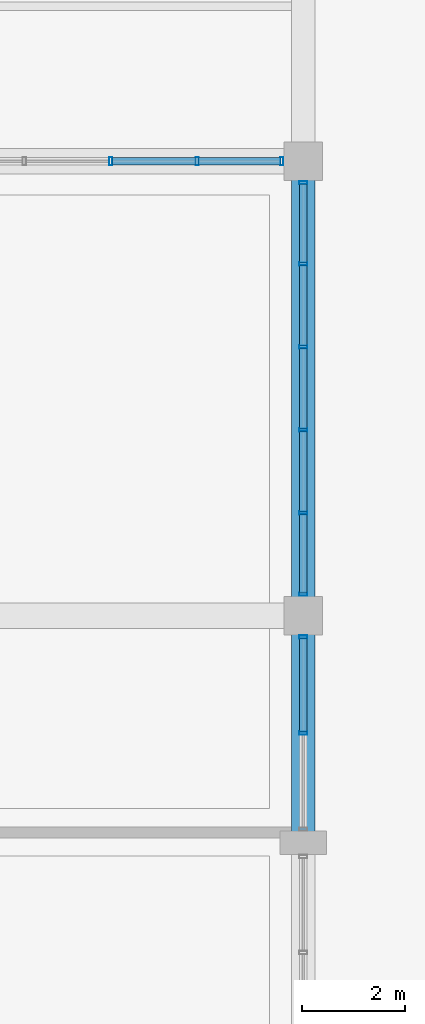
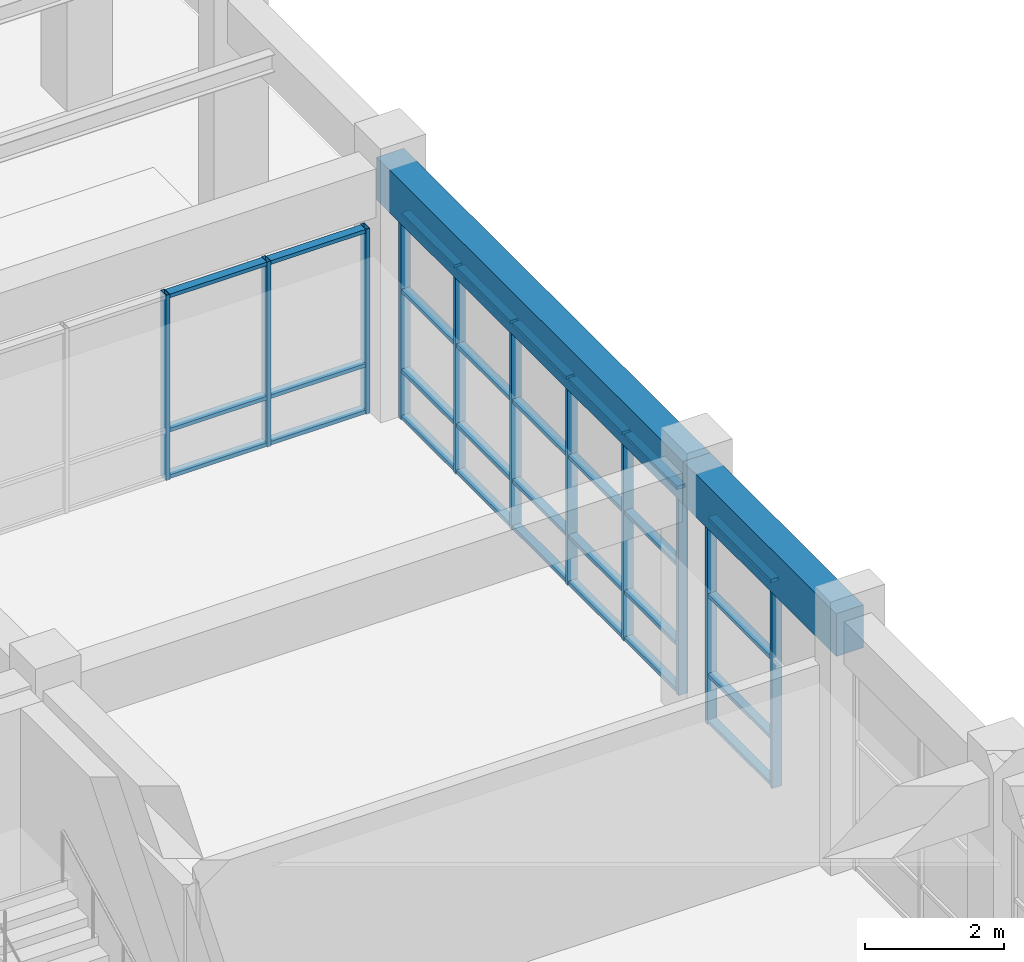
# One storey, part 10 of 47: 41 members, 2 beams, 3 elements without a shape of their own.
"""IFC4 building model written with IfcOpenShell, lengths in metres."""

import ifcopenshell
import ifcopenshell.guid

model = None  # the IFC model being written
_history = None  # IfcOwnerHistory: only IFC2X3 demands one
_inside = {}  # id of a spatial element -> (the spatial element, [elements in it])
_under = {}  # id of a project, library or spatial element -> (it, [spatial elements below it])
_declared = {}  # id of a project -> (the project, [libraries it declares])
_typed = {}  # id of a type object -> (the type object, [elements of that type])
_made_of = {}  # id of a material, layer set ... -> (it, [elements and type objects made of it])


def new_model(schema):
    """Start an empty IFC model of exactly this schema.

    Asked for "IFC4X3", IfcOpenShell would pick the latest addendum, in which some entities
    have other attributes; the version numbers below select the first issue.
    IFC2X3 requires an IfcOwnerHistory on every rooted entity: one is made here for all.
    """
    global model, _history
    if schema == "IFC4X3":
        model = ifcopenshell.file(schema_version=(4, 3, 0, 0))
    else:
        model = ifcopenshell.file(schema=schema)
    _inside.clear()
    _under.clear()
    _declared.clear()
    _typed.clear()
    _made_of.clear()
    _history = None
    if model.schema == "IFC2X3":
        org = make("IfcOrganization", Name="unknown")
        user = make(
            "IfcPersonAndOrganization",
            ThePerson=make("IfcPerson", FamilyName="unknown"),
            TheOrganization=org,
        )
        app = make(
            "IfcApplication",
            ApplicationDeveloper=org,
            Version="unknown",
            ApplicationFullName="unknown",
            ApplicationIdentifier="unknown",
        )
        _history = make(
            "IfcOwnerHistory",
            OwningUser=user,
            OwningApplication=app,
            ChangeAction="ADDED",
            CreationDate=0,
        )
    return model


def make(cls, **values):
    """One entity of the class cls with the attributes given. An attribute that is None is left unset."""
    return model.create_entity(
        cls, **{name: value for name, value in values.items() if value is not None}
    )


def rooted(cls, **values):
    """An entity with a GlobalId (a new one), such as an element, a storey or a relation."""
    return make(cls, GlobalId=ifcopenshell.guid.new(), OwnerHistory=_history, **values)


def si_unit(unit_type, name, prefix=None):
    """IfcSIUnit, for example si_unit("LENGTHUNIT", "METRE", prefix="MILLI")."""
    return make("IfcSIUnit", UnitType=unit_type, Prefix=prefix, Name=name)


def assignment(units):
    """IfcUnitAssignment: the units of a project."""
    return None if units is None else make("IfcUnitAssignment", Units=units)


def point(xyz):
    """IfcCartesianPoint."""
    return None if xyz is None else make("IfcCartesianPoint", Coordinates=xyz)


def direction(xyz):
    """IfcDirection."""
    return None if xyz is None else make("IfcDirection", DirectionRatios=xyz)


def frame(location, z_axis=None, x_axis=None):
    """IfcAxis2Placement3D, a coordinate frame: its origin and axes. An axis left out is left unset."""
    return make(
        "IfcAxis2Placement3D",
        Location=point(location),
        Axis=direction(z_axis),
        RefDirection=direction(x_axis),
    )


def frame_2d(location, x_axis=None):
    """IfcAxis2Placement2D, a coordinate frame in the plane: its origin and x axis."""
    return make(
        "IfcAxis2Placement2D", Location=point(location), RefDirection=direction(x_axis)
    )


def origin():
    """The frame at (0, 0, 0) with its axes left unset."""
    return frame((0.0, 0.0, 0.0))


def origin_2d():
    """The frame at (0, 0) in the plane with its x axis left unset."""
    return frame_2d((0.0, 0.0))


def place(relative_to, where):
    """IfcLocalPlacement: puts the frame where relative to a parent placement (None: the world)."""
    return make(
        "IfcLocalPlacement", PlacementRelTo=relative_to, RelativePlacement=where
    )


def context(
    kind, dimensions, precision=None, world=None, true_north=None, identifier=None
):
    """IfcGeometricRepresentationContext, for example the 3D "Model" context."""
    return make(
        "IfcGeometricRepresentationContext",
        ContextIdentifier=identifier,
        ContextType=kind,
        CoordinateSpaceDimension=dimensions,
        Precision=precision,
        WorldCoordinateSystem=world,
        TrueNorth=true_north,
    )


def subcontext(parent, identifier, kind, view, scale=None):
    """IfcGeometricRepresentationSubContext, for example "Body" below "Model"."""
    return make(
        "IfcGeometricRepresentationSubContext",
        ContextIdentifier=identifier,
        ContextType=kind,
        ParentContext=parent,
        TargetScale=scale,
        TargetView=view,
    )


def project(units=None, contexts=None):
    """IfcProject with its units and contexts."""
    return rooted(
        "IfcProject",
        Name="project",
        RepresentationContexts=contexts,
        UnitsInContext=assignment(units),
    )


def spatial(cls, under=None, at=None, **own):
    """A site, building, storey or space (cls), placed at a placement, below another one or the project."""
    s = rooted(cls, ObjectPlacement=at, **own)
    if under is not None:
        _under.setdefault(under.id(), (under, []))[1].append(s)
    return s


def profile(cls, at=None, kind="AREA", **sizes):
    """A parametric profile (cls). Its sizes go by their IFC names, for example OverallWidth=200.0."""
    return make(cls, ProfileType=kind, Position=at, **sizes)


def rectangle(**sizes):
    """IfcRectangleProfileDef."""
    return profile("IfcRectangleProfileDef", **sizes)


def hollow_rectangle(**sizes):
    """IfcRectangleHollowProfileDef."""
    return profile("IfcRectangleHollowProfileDef", **sizes)


def extrude(swept, where, along, depth):
    """IfcExtrudedAreaSolid: the profile swept, set in the frame where, extruded along a direction by depth."""
    return make(
        "IfcExtrudedAreaSolid",
        SweptArea=swept,
        Position=where,
        ExtrudedDirection=direction(along),
        Depth=depth,
    )


def shape(context_of_items, identifier, shape_type, items):
    """IfcShapeRepresentation: the items that make up one representation, for example the "Body"."""
    return make(
        "IfcShapeRepresentation",
        ContextOfItems=context_of_items,
        RepresentationIdentifier=identifier,
        RepresentationType=shape_type,
        Items=items,
    )


def material(Name=None, Category=None):
    """IfcMaterial."""
    return make("IfcMaterial", Name=Name, Category=Category)


def layer(
    of_material, thickness, ventilated=None, Name=None, Category=None, Priority=None
):
    """IfcMaterialLayer: one layer of a wall or slab, of a material (None: an air gap)."""
    return make(
        "IfcMaterialLayer",
        Material=of_material,
        LayerThickness=thickness,
        IsVentilated=ventilated,
        Name=Name,
        Category=Category,
        Priority=Priority,
    )


def layer_set(layers, Name=None):
    """IfcMaterialLayerSet."""
    return make("IfcMaterialLayerSet", MaterialLayers=layers, LayerSetName=Name)


def material_profile(
    of_material, cross_section, Name=None, Category=None, Priority=None
):
    """IfcMaterialProfile: a cross section and its material."""
    return make(
        "IfcMaterialProfile",
        Name=Name,
        Material=of_material,
        Profile=cross_section,
        Priority=Priority,
        Category=Category,
    )


def profile_set(profiles, Name=None, composite=None):
    """IfcMaterialProfileSet."""
    return make(
        "IfcMaterialProfileSet",
        Name=Name,
        MaterialProfiles=profiles,
        CompositeProfile=composite,
    )


def made_of(thing, what):
    """Note that an element or type object is made of a material, layer set ...; save() writes the relation."""
    if what is not None:
        _made_of.setdefault(what.id(), (what, []))[1].append(thing)
    return thing


def type_object(cls, material=None, **own):
    """A type object (cls), such as IfcWallType, which elements share."""
    return made_of(rooted(cls, **own), material)


def element(
    cls,
    number,
    at=None,
    inside=None,
    cuts=None,
    type_object=None,
    material=None,
    context=None,
    identifier="Body",
    shape_type=None,
    held_by="IfcProductDefinitionShape",
    body=None,
    shapes=None,
    **own,
):
    """One element of the class cls, such as IfcWall. Its Tag is "e" and its number.

    at: its placement. inside: the storey or other place that contains it. cuts: it is an
    opening in that element (IfcRelVoidsElement). A single representation is given by context,
    identifier, shape_type and body (its items); several are given by shapes. held_by: the class
    of the entity that holds the representations. save() writes the other relations.
    """
    e = rooted(cls, Tag="e%d" % number, ObjectPlacement=at, **own)
    if body is not None:
        shapes = [shape(context, identifier, shape_type, body)]
    if shapes is not None:
        e.Representation = make(held_by, Representations=shapes)
    if inside is not None:
        _inside.setdefault(inside.id(), (inside, []))[1].append(e)
    if cuts is not None:
        rooted(
            "IfcRelVoidsElement", RelatingBuildingElement=cuts, RelatedOpeningElement=e
        )
    if type_object is not None:
        _typed.setdefault(type_object.id(), (type_object, []))[1].append(e)
    return made_of(e, material)


def aggregate(whole, parts):
    """IfcRelAggregates: a whole, such as a stair, and the parts it consists of."""
    return rooted("IfcRelAggregates", RelatingObject=whole, RelatedObjects=parts)


def save(model, path):
    """Write the relations noted so far, then the file.

    IfcRelAggregates (storeys below a building ...), IfcRelContainedInSpatialStructure (elements
    in a storey), IfcRelDefinesByType, IfcRelAssociatesMaterial and IfcRelDeclares: one each for
    every whole, place, type object, material and project.
    """
    for whole, parts in _under.values():
        aggregate(whole, parts)
    for where, things in _inside.values():
        rooted(
            "IfcRelContainedInSpatialStructure",
            RelatedElements=things,
            RelatingStructure=where,
        )
    for kind, things in _typed.values():
        rooted("IfcRelDefinesByType", RelatedObjects=things, RelatingType=kind)
    for what, things in _made_of.values():
        rooted("IfcRelAssociatesMaterial", RelatedObjects=things, RelatingMaterial=what)
    for by, libraries in _declared.values():
        rooted("IfcRelDeclares", RelatingContext=by, RelatedDefinitions=libraries)
    model.write(path)


model = new_model("IFC4")

# Units and contexts
model_context = context("Model", 3, precision=1e-05, world=origin(), true_north=direction((0.0, 1.0)))
body_context = subcontext(model_context, "Body", "Model", "MODEL_VIEW")
ifc_project = project(units=[si_unit("LENGTHUNIT", "METRE"), si_unit("AREAUNIT", "SQUARE_METRE"), si_unit("VOLUMEUNIT", "CUBIC_METRE"), si_unit("PLANEANGLEUNIT", "RADIAN"), si_unit("MASSUNIT", "GRAM", prefix="KILO")], contexts=[model_context])

# Site, building, storey
site_placement = place(None, origin())
site = spatial("IfcSite", under=ifc_project, at=site_placement, CompositionType="ELEMENT")
building_placement = place(site_placement, origin())
building = spatial("IfcBuilding", under=site, at=building_placement, Name="Ventoquebrada Cableway Terminal", CompositionType="ELEMENT")
storey_placement = place(building_placement, origin())
storey = spatial("IfcBuildingStorey", under=building, at=storey_placement, Name="L00", CompositionType="ELEMENT", Elevation=0.0)

# Curtain wall, members
ifc_material_1 = material(Name="Anodized thermally-broken aluminium", Category="aluminium")
ifc_layer_1 = layer(ifc_material_1, 0.159912109375)
ifc_layer_set_1 = layer_set([ifc_layer_1], Name="Anodized thermally-broken aluminium")
curtain_wall_type_1 = type_object("IfcCurtainWallType", Name="CW-T01", PredefinedType="USERDEFINED", material=ifc_layer_set_1)
curtain_wall_1_placement = place(storey_placement, origin())
curtain_wall_1 = element("IfcCurtainWall", 1, at=curtain_wall_1_placement, inside=storey, type_object=curtain_wall_type_1, Name="Unitised glazed curtain wall CW-005", ObjectType="UNITISED CURTAIN WALL", PredefinedType="USERDEFINED")
ifc_material_profile_1 = material_profile(ifc_material_1, hollow_rectangle(XDim=0.06494140625, YDim=0.159912109375, WallThickness=0.00390625, at=origin_2d()), Name="CW-MUL-65X160")
ifc_profile_set_1 = profile_set([ifc_material_profile_1], Name="Anodized thermally-broken aluminium")
member_type_1 = type_object("IfcMemberType", Name="CWM-01", PredefinedType="MULLION", material=ifc_profile_set_1)
member_1_placement = place(storey_placement, frame((37.0, 35.925048828125, -0.008056640625), z_axis=(0.0, 0.0, 1.0), x_axis=(0.0, 1.0, 0.0)))
member_1 = element("IfcMember", 2, at=member_1_placement, type_object=member_type_1, Name="Curtain wall mullion FML-0017", PredefinedType="MULLION", context=body_context, shape_type="SweptSolid", body=[
    extrude(hollow_rectangle(XDim=0.06494140625, YDim=0.159912109375, WallThickness=0.00390625, at=origin_2d()), origin(), (0.0, 0.0, 1.0), 3.637939453125),
])
member_2_placement = place(storey_placement, frame((37.0, 37.784912109375, -0.008056640625), z_axis=(0.0, 0.0, 1.0), x_axis=(0.0, 1.0, 0.0)))
member_2 = element("IfcMember", 3, at=member_2_placement, type_object=member_type_1, Name="Curtain wall mullion FML-0018", PredefinedType="MULLION", context=body_context, shape_type="SweptSolid", body=[
    extrude(hollow_rectangle(XDim=0.06494140625, YDim=0.159912109375, WallThickness=0.00390625, at=origin_2d()), origin(), (0.0, 0.0, 1.0), 3.637939453125),
])

ifc_layer_2 = layer(ifc_material_1, 0.159912109375)
ifc_layer_set_2 = layer_set([ifc_layer_2], Name="Anodized thermally-broken aluminium")
curtain_wall_type_2 = type_object("IfcCurtainWallType", Name="CW-T02", PredefinedType="USERDEFINED", material=ifc_layer_set_2)
curtain_wall_2_placement = place(storey_placement, origin())
curtain_wall_2 = element("IfcCurtainWall", 4, at=curtain_wall_2_placement, inside=storey, type_object=curtain_wall_type_2, Name="Unitised glazed curtain wall CW-006", ObjectType="UNITISED CURTAIN WALL", PredefinedType="USERDEFINED")
member_3_placement = place(storey_placement, frame((37.0, 38.614990234375, -0.008056640625), z_axis=(0.0, 0.0, 1.0), x_axis=(0.0, 1.0, 0.0)))
member_3 = element("IfcMember", 5, at=member_3_placement, type_object=member_type_1, Name="Curtain wall mullion FML-0019", PredefinedType="MULLION", context=body_context, shape_type="SweptSolid", body=[
    extrude(hollow_rectangle(XDim=0.06494140625, YDim=0.159912109375, WallThickness=0.00390625, at=origin_2d()), origin(), (0.0, 0.0, 1.0), 3.637939453125),
])
member_4_placement = place(storey_placement, frame((37.0, 40.18798828125, -0.008056640625), z_axis=(0.0, 0.0, 1.0), x_axis=(0.0, 1.0, 0.0)))
member_4 = element("IfcMember", 6, at=member_4_placement, type_object=member_type_1, Name="Curtain wall mullion FML-0020", PredefinedType="MULLION", context=body_context, shape_type="SweptSolid", body=[
    extrude(hollow_rectangle(XDim=0.06494140625, YDim=0.159912109375, WallThickness=0.00390625, at=origin_2d()), origin(), (0.0, 0.0, 1.0), 3.637939453125),
])
member_5_placement = place(storey_placement, frame((37.0, 41.7958984375, -0.008056640625), z_axis=(0.0, 0.0, 1.0), x_axis=(0.0, 1.0, 0.0)))
member_5 = element("IfcMember", 7, at=member_5_placement, type_object=member_type_1, Name="Curtain wall mullion FML-0021", PredefinedType="MULLION", context=body_context, shape_type="SweptSolid", body=[
    extrude(hollow_rectangle(XDim=0.06494140625, YDim=0.159912109375, WallThickness=0.00390625, at=origin_2d()), origin(), (0.0, 0.0, 1.0), 3.637939453125),
])
member_6_placement = place(storey_placement, frame((37.0, 43.404052734375, -0.008056640625), z_axis=(0.0, 0.0, 1.0), x_axis=(0.0, 1.0, 0.0)))
member_6 = element("IfcMember", 8, at=member_6_placement, type_object=member_type_1, Name="Curtain wall mullion FML-0022", PredefinedType="MULLION", context=body_context, shape_type="SweptSolid", body=[
    extrude(hollow_rectangle(XDim=0.06494140625, YDim=0.159912109375, WallThickness=0.00390625, at=origin_2d()), origin(), (0.0, 0.0, 1.0), 3.637939453125),
])
member_7_placement = place(storey_placement, frame((37.0, 45.011962890625, -0.008056640625), z_axis=(0.0, 0.0, 1.0), x_axis=(0.0, 1.0, 0.0)))
member_7 = element("IfcMember", 9, at=member_7_placement, type_object=member_type_1, Name="Curtain wall mullion FML-0023", PredefinedType="MULLION", context=body_context, shape_type="SweptSolid", body=[
    extrude(hollow_rectangle(XDim=0.06494140625, YDim=0.159912109375, WallThickness=0.00390625, at=origin_2d()), origin(), (0.0, 0.0, 1.0), 3.637939453125),
])
member_8_placement = place(storey_placement, frame((37.0, 46.5849609375, -0.008056640625), z_axis=(0.0, 0.0, 1.0), x_axis=(0.0, 1.0, 0.0)))
member_8 = element("IfcMember", 10, at=member_8_placement, type_object=member_type_1, Name="Curtain wall mullion FML-0024", PredefinedType="MULLION", context=body_context, shape_type="SweptSolid", body=[
    extrude(hollow_rectangle(XDim=0.06494140625, YDim=0.159912109375, WallThickness=0.00390625, at=origin_2d()), origin(), (0.0, 0.0, 1.0), 3.637939453125),
])

ifc_layer_3 = layer(ifc_material_1, 0.159912109375)
ifc_layer_set_3 = layer_set([ifc_layer_3], Name="Anodized thermally-broken aluminium")
curtain_wall_type_3 = type_object("IfcCurtainWallType", Name="CW-T04", PredefinedType="USERDEFINED", material=ifc_layer_set_3)
curtain_wall_3_placement = place(storey_placement, origin())
curtain_wall_3 = element("IfcCurtainWall", 11, at=curtain_wall_3_placement, inside=storey, type_object=curtain_wall_type_3, Name="Unitised glazed curtain wall CW-008", ObjectType="UNITISED CURTAIN WALL", PredefinedType="USERDEFINED")
member_9_placement = place(storey_placement, frame((36.5849609375, 47.0, -0.008056640625), z_axis=(0.0, 0.0, 1.0), x_axis=(-1.0, 0.0, 0.0)))
member_9 = element("IfcMember", 12, at=member_9_placement, type_object=member_type_1, Name="Curtain wall mullion FML-0029", PredefinedType="MULLION", context=body_context, shape_type="SweptSolid", body=[
    extrude(hollow_rectangle(XDim=0.06494140625, YDim=0.159912109375, WallThickness=0.00390625, at=origin_2d()), origin(), (0.0, 0.0, 1.0), 3.248046875),
])
member_10_placement = place(storey_placement, frame((34.947021484375, 47.0, -0.008056640625), z_axis=(0.0, 0.0, 1.0), x_axis=(-1.0, 0.0, 0.0)))
member_10 = element("IfcMember", 13, at=member_10_placement, type_object=member_type_1, Name="Curtain wall mullion FML-0030", PredefinedType="MULLION", context=body_context, shape_type="SweptSolid", body=[
    extrude(hollow_rectangle(XDim=0.06494140625, YDim=0.159912109375, WallThickness=0.00390625, at=origin_2d()), origin(), (0.0, 0.0, 1.0), 3.248046875),
])
member_11_placement = place(storey_placement, frame((33.27294921875, 47.0, -0.008056640625), z_axis=(0.0, 0.0, 1.0), x_axis=(-1.0, 0.0, 0.0)))
member_11 = element("IfcMember", 14, at=member_11_placement, type_object=member_type_1, Name="Curtain wall mullion FML-0031", PredefinedType="MULLION", context=body_context, shape_type="SweptSolid", body=[
    extrude(hollow_rectangle(XDim=0.06494140625, YDim=0.159912109375, WallThickness=0.00390625, at=origin_2d()), origin(), (0.0, 0.0, 1.0), 3.248046875),
])

# Member
ifc_material_profile_2 = material_profile(ifc_material_1, hollow_rectangle(XDim=0.06494140625, YDim=0.139892578125, WallThickness=0.00390625, at=origin_2d()), Name="CW-TRN-65X140")
ifc_profile_set_2 = profile_set([ifc_material_profile_2], Name="Anodized thermally-broken aluminium")
member_type_2 = type_object("IfcMemberType", Name="CWT-01", PredefinedType="USERDEFINED", material=ifc_profile_set_2)
member_12_placement = place(storey_placement, frame((37.0, 35.952880859375, 0.034912109375), z_axis=(0.0, 1.0, 0.0), x_axis=(0.0, 0.0, 1.0)))
member_12 = element("IfcMember", 15, at=member_12_placement, type_object=member_type_2, Name="Curtain wall transom FTR-0049", ObjectType="TRANSOM", PredefinedType="USERDEFINED", context=body_context, shape_type="SweptSolid", body=[
    extrude(hollow_rectangle(XDim=0.06494140625, YDim=0.139892578125, WallThickness=0.00390625, at=origin_2d()), origin(), (0.0, 0.0, 1.0), 1.80517578125),
])

member_13_placement = place(storey_placement, frame((37.0, 35.952880859375, 0.85009765625), z_axis=(0.0, 1.0, 0.0), x_axis=(0.0, 0.0, 1.0)))
member_13 = element("IfcMember", 16, at=member_13_placement, type_object=member_type_2, Name="Curtain wall transom FTR-0050", ObjectType="TRANSOM", PredefinedType="USERDEFINED", context=body_context, shape_type="SweptSolid", body=[
    extrude(hollow_rectangle(XDim=0.06494140625, YDim=0.139892578125, WallThickness=0.00390625, at=origin_2d()), origin(), (0.0, 0.0, 1.0), 1.80517578125),
])

member_14_placement = place(storey_placement, frame((37.0, 35.952880859375, 2.248046875), z_axis=(0.0, 1.0, 0.0), x_axis=(0.0, 0.0, 1.0)))
member_14 = element("IfcMember", 17, at=member_14_placement, type_object=member_type_2, Name="Curtain wall transom FTR-0051", ObjectType="TRANSOM", PredefinedType="USERDEFINED", context=body_context, shape_type="SweptSolid", body=[
    extrude(hollow_rectangle(XDim=0.06494140625, YDim=0.139892578125, WallThickness=0.00390625, at=origin_2d()), origin(), (0.0, 0.0, 1.0), 1.80517578125),
])

member_15_placement = place(storey_placement, frame((37.0, 35.952880859375, 3.590087890625), z_axis=(0.0, 1.0, 0.0), x_axis=(0.0, 0.0, 1.0)))
member_15 = element("IfcMember", 18, at=member_15_placement, type_object=member_type_2, Name="Curtain wall transom FTR-0052", ObjectType="TRANSOM", PredefinedType="USERDEFINED", context=body_context, shape_type="SweptSolid", body=[
    extrude(hollow_rectangle(XDim=0.06494140625, YDim=0.139892578125, WallThickness=0.00390625, at=origin_2d()), origin(), (0.0, 0.0, 1.0), 1.80517578125),
])

aggregate(curtain_wall_1, [member_1, member_2, member_12, member_13, member_14, member_15])

member_16_placement = place(storey_placement, frame((37.0, 38.64208984375, 0.034912109375), z_axis=(0.0, 1.0, 0.0), x_axis=(0.0, 0.0, 1.0)))
member_16 = element("IfcMember", 19, at=member_16_placement, type_object=member_type_2, Name="Curtain wall transom FTR-0053", ObjectType="TRANSOM", PredefinedType="USERDEFINED", context=body_context, shape_type="SweptSolid", body=[
    extrude(hollow_rectangle(XDim=0.06494140625, YDim=0.139892578125, WallThickness=0.00390625, at=origin_2d()), origin(), (0.0, 0.0, 1.0), 1.517822265625),
])

member_17_placement = place(storey_placement, frame((37.0, 38.64208984375, 0.85009765625), z_axis=(0.0, 1.0, 0.0), x_axis=(0.0, 0.0, 1.0)))
member_17 = element("IfcMember", 20, at=member_17_placement, type_object=member_type_2, Name="Curtain wall transom FTR-0054", ObjectType="TRANSOM", PredefinedType="USERDEFINED", context=body_context, shape_type="SweptSolid", body=[
    extrude(hollow_rectangle(XDim=0.06494140625, YDim=0.139892578125, WallThickness=0.00390625, at=origin_2d()), origin(), (0.0, 0.0, 1.0), 1.517822265625),
])

member_18_placement = place(storey_placement, frame((37.0, 38.64208984375, 2.248046875), z_axis=(0.0, 1.0, 0.0), x_axis=(0.0, 0.0, 1.0)))
member_18 = element("IfcMember", 21, at=member_18_placement, type_object=member_type_2, Name="Curtain wall transom FTR-0055", ObjectType="TRANSOM", PredefinedType="USERDEFINED", context=body_context, shape_type="SweptSolid", body=[
    extrude(hollow_rectangle(XDim=0.06494140625, YDim=0.139892578125, WallThickness=0.00390625, at=origin_2d()), origin(), (0.0, 0.0, 1.0), 1.517822265625),
])

member_19_placement = place(storey_placement, frame((37.0, 38.64208984375, 3.590087890625), z_axis=(0.0, 1.0, 0.0), x_axis=(0.0, 0.0, 1.0)))
member_19 = element("IfcMember", 22, at=member_19_placement, type_object=member_type_2, Name="Curtain wall transom FTR-0056", ObjectType="TRANSOM", PredefinedType="USERDEFINED", context=body_context, shape_type="SweptSolid", body=[
    extrude(hollow_rectangle(XDim=0.06494140625, YDim=0.139892578125, WallThickness=0.00390625, at=origin_2d()), origin(), (0.0, 0.0, 1.0), 1.517822265625),
])

member_20_placement = place(storey_placement, frame((37.0, 40.215087890625, 0.034912109375), z_axis=(0.0, 1.0, 0.0), x_axis=(0.0, 0.0, 1.0)))
member_20 = element("IfcMember", 23, at=member_20_placement, type_object=member_type_2, Name="Curtain wall transom FTR-0057", ObjectType="TRANSOM", PredefinedType="USERDEFINED", context=body_context, shape_type="SweptSolid", body=[
    extrude(hollow_rectangle(XDim=0.06494140625, YDim=0.139892578125, WallThickness=0.00390625, at=origin_2d()), origin(), (0.0, 0.0, 1.0), 1.552978515625),
])

member_21_placement = place(storey_placement, frame((37.0, 40.215087890625, 0.85009765625), z_axis=(0.0, 1.0, 0.0), x_axis=(0.0, 0.0, 1.0)))
member_21 = element("IfcMember", 24, at=member_21_placement, type_object=member_type_2, Name="Curtain wall transom FTR-0058", ObjectType="TRANSOM", PredefinedType="USERDEFINED", context=body_context, shape_type="SweptSolid", body=[
    extrude(hollow_rectangle(XDim=0.06494140625, YDim=0.139892578125, WallThickness=0.00390625, at=origin_2d()), origin(), (0.0, 0.0, 1.0), 1.552978515625),
])

member_22_placement = place(storey_placement, frame((37.0, 40.215087890625, 2.248046875), z_axis=(0.0, 1.0, 0.0), x_axis=(0.0, 0.0, 1.0)))
member_22 = element("IfcMember", 25, at=member_22_placement, type_object=member_type_2, Name="Curtain wall transom FTR-0059", ObjectType="TRANSOM", PredefinedType="USERDEFINED", context=body_context, shape_type="SweptSolid", body=[
    extrude(hollow_rectangle(XDim=0.06494140625, YDim=0.139892578125, WallThickness=0.00390625, at=origin_2d()), origin(), (0.0, 0.0, 1.0), 1.552978515625),
])

member_23_placement = place(storey_placement, frame((37.0, 40.215087890625, 3.590087890625), z_axis=(0.0, 1.0, 0.0), x_axis=(0.0, 0.0, 1.0)))
member_23 = element("IfcMember", 26, at=member_23_placement, type_object=member_type_2, Name="Curtain wall transom FTR-0060", ObjectType="TRANSOM", PredefinedType="USERDEFINED", context=body_context, shape_type="SweptSolid", body=[
    extrude(hollow_rectangle(XDim=0.06494140625, YDim=0.139892578125, WallThickness=0.00390625, at=origin_2d()), origin(), (0.0, 0.0, 1.0), 1.552978515625),
])

member_24_placement = place(storey_placement, frame((37.0, 41.822998046875, 0.034912109375), z_axis=(0.0, 1.0, 0.0), x_axis=(0.0, 0.0, 1.0)))
member_24 = element("IfcMember", 27, at=member_24_placement, type_object=member_type_2, Name="Curtain wall transom FTR-0061", ObjectType="TRANSOM", PredefinedType="USERDEFINED", context=body_context, shape_type="SweptSolid", body=[
    extrude(hollow_rectangle(XDim=0.06494140625, YDim=0.139892578125, WallThickness=0.00390625, at=origin_2d()), origin(), (0.0, 0.0, 1.0), 1.553955078125),
])

member_25_placement = place(storey_placement, frame((37.0, 41.822998046875, 0.85009765625), z_axis=(0.0, 1.0, 0.0), x_axis=(0.0, 0.0, 1.0)))
member_25 = element("IfcMember", 28, at=member_25_placement, type_object=member_type_2, Name="Curtain wall transom FTR-0062", ObjectType="TRANSOM", PredefinedType="USERDEFINED", context=body_context, shape_type="SweptSolid", body=[
    extrude(hollow_rectangle(XDim=0.06494140625, YDim=0.139892578125, WallThickness=0.00390625, at=origin_2d()), origin(), (0.0, 0.0, 1.0), 1.553955078125),
])

member_26_placement = place(storey_placement, frame((37.0, 41.822998046875, 2.248046875), z_axis=(0.0, 1.0, 0.0), x_axis=(0.0, 0.0, 1.0)))
member_26 = element("IfcMember", 29, at=member_26_placement, type_object=member_type_2, Name="Curtain wall transom FTR-0063", ObjectType="TRANSOM", PredefinedType="USERDEFINED", context=body_context, shape_type="SweptSolid", body=[
    extrude(hollow_rectangle(XDim=0.06494140625, YDim=0.139892578125, WallThickness=0.00390625, at=origin_2d()), origin(), (0.0, 0.0, 1.0), 1.553955078125),
])

member_27_placement = place(storey_placement, frame((37.0, 41.822998046875, 3.590087890625), z_axis=(0.0, 1.0, 0.0), x_axis=(0.0, 0.0, 1.0)))
member_27 = element("IfcMember", 30, at=member_27_placement, type_object=member_type_2, Name="Curtain wall transom FTR-0064", ObjectType="TRANSOM", PredefinedType="USERDEFINED", context=body_context, shape_type="SweptSolid", body=[
    extrude(hollow_rectangle(XDim=0.06494140625, YDim=0.139892578125, WallThickness=0.00390625, at=origin_2d()), origin(), (0.0, 0.0, 1.0), 1.553955078125),
])

member_28_placement = place(storey_placement, frame((37.0, 43.430908203125, 0.034912109375), z_axis=(0.0, 1.0, 0.0), x_axis=(0.0, 0.0, 1.0)))
member_28 = element("IfcMember", 31, at=member_28_placement, type_object=member_type_2, Name="Curtain wall transom FTR-0065", ObjectType="TRANSOM", PredefinedType="USERDEFINED", context=body_context, shape_type="SweptSolid", body=[
    extrude(hollow_rectangle(XDim=0.06494140625, YDim=0.139892578125, WallThickness=0.00390625, at=origin_2d()), origin(), (0.0, 0.0, 1.0), 1.552978515625),
])

member_29_placement = place(storey_placement, frame((37.0, 43.430908203125, 0.85009765625), z_axis=(0.0, 1.0, 0.0), x_axis=(0.0, 0.0, 1.0)))
member_29 = element("IfcMember", 32, at=member_29_placement, type_object=member_type_2, Name="Curtain wall transom FTR-0066", ObjectType="TRANSOM", PredefinedType="USERDEFINED", context=body_context, shape_type="SweptSolid", body=[
    extrude(hollow_rectangle(XDim=0.06494140625, YDim=0.139892578125, WallThickness=0.00390625, at=origin_2d()), origin(), (0.0, 0.0, 1.0), 1.552978515625),
])

member_30_placement = place(storey_placement, frame((37.0, 43.430908203125, 2.248046875), z_axis=(0.0, 1.0, 0.0), x_axis=(0.0, 0.0, 1.0)))
member_30 = element("IfcMember", 33, at=member_30_placement, type_object=member_type_2, Name="Curtain wall transom FTR-0067", ObjectType="TRANSOM", PredefinedType="USERDEFINED", context=body_context, shape_type="SweptSolid", body=[
    extrude(hollow_rectangle(XDim=0.06494140625, YDim=0.139892578125, WallThickness=0.00390625, at=origin_2d()), origin(), (0.0, 0.0, 1.0), 1.552978515625),
])

member_31_placement = place(storey_placement, frame((37.0, 43.430908203125, 3.590087890625), z_axis=(0.0, 1.0, 0.0), x_axis=(0.0, 0.0, 1.0)))
member_31 = element("IfcMember", 34, at=member_31_placement, type_object=member_type_2, Name="Curtain wall transom FTR-0068", ObjectType="TRANSOM", PredefinedType="USERDEFINED", context=body_context, shape_type="SweptSolid", body=[
    extrude(hollow_rectangle(XDim=0.06494140625, YDim=0.139892578125, WallThickness=0.00390625, at=origin_2d()), origin(), (0.0, 0.0, 1.0), 1.552978515625),
])

member_32_placement = place(storey_placement, frame((37.0, 45.0390625, 0.034912109375), z_axis=(0.0, 1.0, 0.0), x_axis=(0.0, 0.0, 1.0)))
member_32 = element("IfcMember", 35, at=member_32_placement, type_object=member_type_2, Name="Curtain wall transom FTR-0069", ObjectType="TRANSOM", PredefinedType="USERDEFINED", context=body_context, shape_type="SweptSolid", body=[
    extrude(hollow_rectangle(XDim=0.06494140625, YDim=0.139892578125, WallThickness=0.00390625, at=origin_2d()), origin(), (0.0, 0.0, 1.0), 1.517822265625),
])

member_33_placement = place(storey_placement, frame((37.0, 45.0390625, 0.85009765625), z_axis=(0.0, 1.0, 0.0), x_axis=(0.0, 0.0, 1.0)))
member_33 = element("IfcMember", 36, at=member_33_placement, type_object=member_type_2, Name="Curtain wall transom FTR-0070", ObjectType="TRANSOM", PredefinedType="USERDEFINED", context=body_context, shape_type="SweptSolid", body=[
    extrude(hollow_rectangle(XDim=0.06494140625, YDim=0.139892578125, WallThickness=0.00390625, at=origin_2d()), origin(), (0.0, 0.0, 1.0), 1.517822265625),
])

member_34_placement = place(storey_placement, frame((37.0, 45.0390625, 2.248046875), z_axis=(0.0, 1.0, 0.0), x_axis=(0.0, 0.0, 1.0)))
member_34 = element("IfcMember", 37, at=member_34_placement, type_object=member_type_2, Name="Curtain wall transom FTR-0071", ObjectType="TRANSOM", PredefinedType="USERDEFINED", context=body_context, shape_type="SweptSolid", body=[
    extrude(hollow_rectangle(XDim=0.06494140625, YDim=0.139892578125, WallThickness=0.00390625, at=origin_2d()), origin(), (0.0, 0.0, 1.0), 1.517822265625),
])

member_35_placement = place(storey_placement, frame((37.0, 45.0390625, 3.590087890625), z_axis=(0.0, 1.0, 0.0), x_axis=(0.0, 0.0, 1.0)))
member_35 = element("IfcMember", 38, at=member_35_placement, type_object=member_type_2, Name="Curtain wall transom FTR-0072", ObjectType="TRANSOM", PredefinedType="USERDEFINED", context=body_context, shape_type="SweptSolid", body=[
    extrude(hollow_rectangle(XDim=0.06494140625, YDim=0.139892578125, WallThickness=0.00390625, at=origin_2d()), origin(), (0.0, 0.0, 1.0), 1.517822265625),
])

aggregate(curtain_wall_2, [member_3, member_4, member_5, member_6, member_7, member_8, member_16, member_17, member_18, member_19, member_20, member_21, member_22, member_23, member_24, member_25, member_26, member_27, member_28, member_29, member_30, member_31, member_32, member_33, member_34, member_35])

member_36_placement = place(storey_placement, frame((36.556884765625, 47.0, 0.034912109375), z_axis=(-1.0, 0.0, 0.0), x_axis=(0.0, 0.0, 1.0)))
member_36 = element("IfcMember", 39, at=member_36_placement, type_object=member_type_2, Name="Curtain wall transom FTR-0082", ObjectType="TRANSOM", PredefinedType="USERDEFINED", context=body_context, shape_type="SweptSolid", body=[
    extrude(hollow_rectangle(XDim=0.06494140625, YDim=0.139892578125, WallThickness=0.00390625, at=origin_2d()), origin(), (0.0, 0.0, 1.0), 1.582763671875),
])

member_37_placement = place(storey_placement, frame((36.556884765625, 47.0, 0.85009765625), z_axis=(-1.0, 0.0, 0.0), x_axis=(0.0, 0.0, 1.0)))
member_37 = element("IfcMember", 40, at=member_37_placement, type_object=member_type_2, Name="Curtain wall transom FTR-0083", ObjectType="TRANSOM", PredefinedType="USERDEFINED", context=body_context, shape_type="SweptSolid", body=[
    extrude(hollow_rectangle(XDim=0.06494140625, YDim=0.139892578125, WallThickness=0.00390625, at=origin_2d()), origin(), (0.0, 0.0, 1.0), 1.582763671875),
])

member_38_placement = place(storey_placement, frame((36.556884765625, 47.0, 3.199951171875), z_axis=(-1.0, 0.0, 0.0), x_axis=(0.0, 0.0, 1.0)))
member_38 = element("IfcMember", 41, at=member_38_placement, type_object=member_type_2, Name="Curtain wall transom FTR-0084", ObjectType="TRANSOM", PredefinedType="USERDEFINED", context=body_context, shape_type="SweptSolid", body=[
    extrude(hollow_rectangle(XDim=0.06494140625, YDim=0.139892578125, WallThickness=0.00390625, at=origin_2d()), origin(), (0.0, 0.0, 1.0), 1.582763671875),
])

member_39_placement = place(storey_placement, frame((34.9189453125, 47.0, 0.034912109375), z_axis=(-1.0, 0.0, 0.0), x_axis=(0.0, 0.0, 1.0)))
member_39 = element("IfcMember", 42, at=member_39_placement, type_object=member_type_2, Name="Curtain wall transom FTR-0085", ObjectType="TRANSOM", PredefinedType="USERDEFINED", context=body_context, shape_type="SweptSolid", body=[
    extrude(hollow_rectangle(XDim=0.06494140625, YDim=0.139892578125, WallThickness=0.00390625, at=origin_2d()), origin(), (0.0, 0.0, 1.0), 1.617919921875),
])

member_40_placement = place(storey_placement, frame((34.9189453125, 47.0, 0.85009765625), z_axis=(-1.0, 0.0, 0.0), x_axis=(0.0, 0.0, 1.0)))
member_40 = element("IfcMember", 43, at=member_40_placement, type_object=member_type_2, Name="Curtain wall transom FTR-0086", ObjectType="TRANSOM", PredefinedType="USERDEFINED", context=body_context, shape_type="SweptSolid", body=[
    extrude(hollow_rectangle(XDim=0.06494140625, YDim=0.139892578125, WallThickness=0.00390625, at=origin_2d()), origin(), (0.0, 0.0, 1.0), 1.617919921875),
])

member_41_placement = place(storey_placement, frame((34.9189453125, 47.0, 3.199951171875), z_axis=(-1.0, 0.0, 0.0), x_axis=(0.0, 0.0, 1.0)))
member_41 = element("IfcMember", 44, at=member_41_placement, type_object=member_type_2, Name="Curtain wall transom FTR-0087", ObjectType="TRANSOM", PredefinedType="USERDEFINED", context=body_context, shape_type="SweptSolid", body=[
    extrude(hollow_rectangle(XDim=0.06494140625, YDim=0.139892578125, WallThickness=0.00390625, at=origin_2d()), origin(), (0.0, 0.0, 1.0), 1.617919921875),
])

aggregate(curtain_wall_3, [member_9, member_10, member_11, member_36, member_37, member_38, member_39, member_40, member_41])

# Beams
ifc_material_2 = material(Name="Concrete C40/50", Category="concrete")
ifc_material_profile_3 = material_profile(ifc_material_2, rectangle(XDim=0.449951171875, YDim=0.75, at=origin_2d()), Name="RC-BM-450X750")
ifc_profile_set_3 = profile_set([ifc_material_profile_3], Name="Concrete C40/50")
beam_type = type_object("IfcBeamType", Name="SP-RC02", PredefinedType="SPANDREL", material=ifc_profile_set_3)
beam_1_placement = place(storey_placement, frame((37.0, 33.800048828125, 4.0048828125), z_axis=(0.0, 1.0, 0.0), x_axis=(-1.0, 0.0, 0.0)))
element("IfcBeam", 45, at=beam_1_placement, inside=storey, type_object=beam_type, Name="Perimeter spandrel beam FBM-0141", PredefinedType="SPANDREL", context=body_context, shape_type="SweptSolid", body=[
    extrude(rectangle(XDim=0.449951171875, YDim=0.75, at=origin_2d()), origin(), (0.0, 0.0, 1.0), 4.39990234375),
])
beam_2_placement = place(storey_placement, frame((37.0, 38.199951171875, 4.0048828125), z_axis=(0.0, 1.0, 0.0), x_axis=(-1.0, 0.0, 0.0)))
element("IfcBeam", 46, at=beam_2_placement, inside=storey, type_object=beam_type, Name="Perimeter spandrel beam FBM-0142", PredefinedType="SPANDREL", context=body_context, shape_type="SweptSolid", body=[
    extrude(rectangle(XDim=0.449951171875, YDim=0.75, at=origin_2d()), origin(), (0.0, 0.0, 1.0), 8.800048828125),
])

save(model, "model.ifc")
